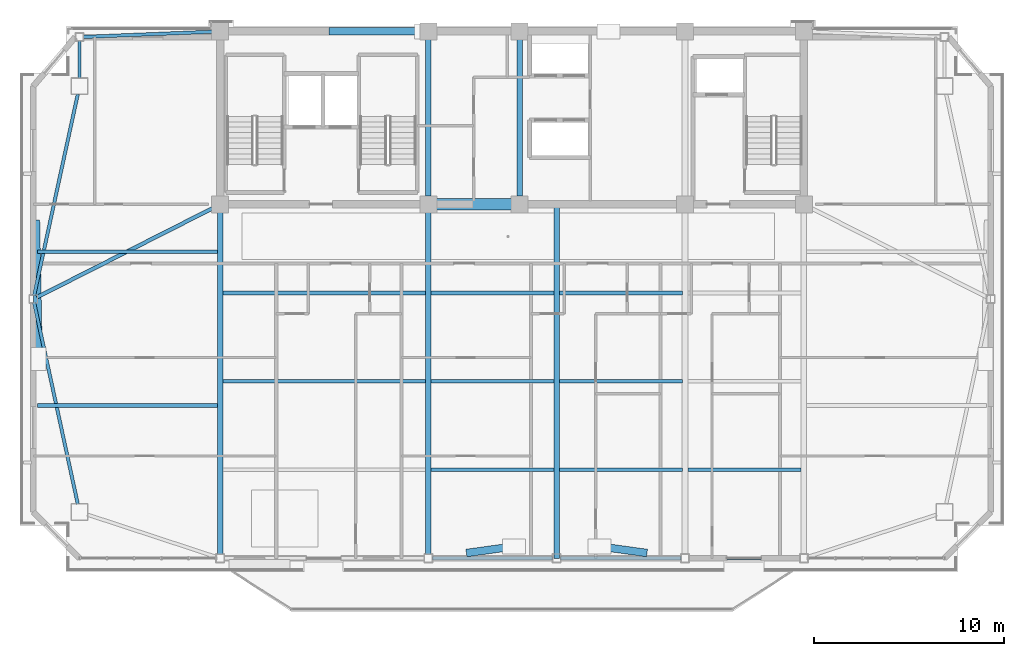
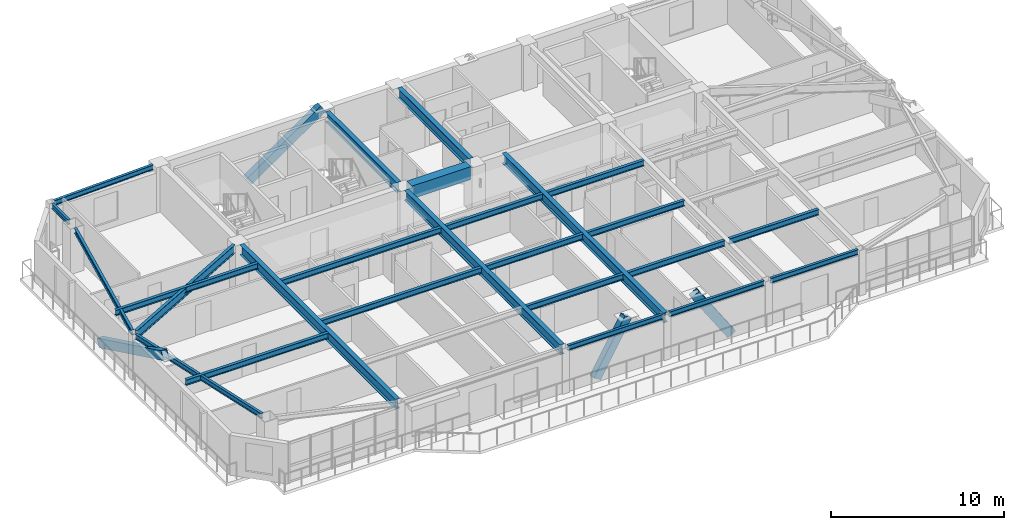
# One storey, part 3 of 15: 25 beams, 4 members.
"""IFC4 building model written with IfcOpenShell, lengths in metres."""

import ifcopenshell
import ifcopenshell.guid

model = None  # the IFC model being written
_history = None  # IfcOwnerHistory: only IFC2X3 demands one
_inside = {}  # id of a spatial element -> (the spatial element, [elements in it])
_under = {}  # id of a project, library or spatial element -> (it, [spatial elements below it])
_declared = {}  # id of a project -> (the project, [libraries it declares])
_typed = {}  # id of a type object -> (the type object, [elements of that type])
_made_of = {}  # id of a material, layer set ... -> (it, [elements and type objects made of it])


def new_model(schema):
    """Start an empty IFC model of exactly this schema.

    Asked for "IFC4X3", IfcOpenShell would pick the latest addendum, in which some entities
    have other attributes; the version numbers below select the first issue.
    IFC2X3 requires an IfcOwnerHistory on every rooted entity: one is made here for all.
    """
    global model, _history
    if schema == "IFC4X3":
        model = ifcopenshell.file(schema_version=(4, 3, 0, 0))
    else:
        model = ifcopenshell.file(schema=schema)
    _inside.clear()
    _under.clear()
    _declared.clear()
    _typed.clear()
    _made_of.clear()
    _history = None
    if model.schema == "IFC2X3":
        org = make("IfcOrganization", Name="unknown")
        user = make(
            "IfcPersonAndOrganization",
            ThePerson=make("IfcPerson", FamilyName="unknown"),
            TheOrganization=org,
        )
        app = make(
            "IfcApplication",
            ApplicationDeveloper=org,
            Version="unknown",
            ApplicationFullName="unknown",
            ApplicationIdentifier="unknown",
        )
        _history = make(
            "IfcOwnerHistory",
            OwningUser=user,
            OwningApplication=app,
            ChangeAction="ADDED",
            CreationDate=0,
        )
    return model


def make(cls, **values):
    """One entity of the class cls with the attributes given. An attribute that is None is left unset."""
    return model.create_entity(
        cls, **{name: value for name, value in values.items() if value is not None}
    )


def rooted(cls, **values):
    """An entity with a GlobalId (a new one), such as an element, a storey or a relation."""
    return make(cls, GlobalId=ifcopenshell.guid.new(), OwnerHistory=_history, **values)


def si_unit(unit_type, name, prefix=None):
    """IfcSIUnit, for example si_unit("LENGTHUNIT", "METRE", prefix="MILLI")."""
    return make("IfcSIUnit", UnitType=unit_type, Prefix=prefix, Name=name)


def assignment(units):
    """IfcUnitAssignment: the units of a project."""
    return None if units is None else make("IfcUnitAssignment", Units=units)


def point(xyz):
    """IfcCartesianPoint."""
    return None if xyz is None else make("IfcCartesianPoint", Coordinates=xyz)


def direction(xyz):
    """IfcDirection."""
    return None if xyz is None else make("IfcDirection", DirectionRatios=xyz)


def frame(location, z_axis=None, x_axis=None):
    """IfcAxis2Placement3D, a coordinate frame: its origin and axes. An axis left out is left unset."""
    return make(
        "IfcAxis2Placement3D",
        Location=point(location),
        Axis=direction(z_axis),
        RefDirection=direction(x_axis),
    )


def frame_2d(location, x_axis=None):
    """IfcAxis2Placement2D, a coordinate frame in the plane: its origin and x axis."""
    return make(
        "IfcAxis2Placement2D", Location=point(location), RefDirection=direction(x_axis)
    )


def origin():
    """The frame at (0, 0, 0) with its axes left unset."""
    return frame((0.0, 0.0, 0.0))


def origin_2d():
    """The frame at (0, 0) in the plane with its x axis left unset."""
    return frame_2d((0.0, 0.0))


def place(relative_to, where):
    """IfcLocalPlacement: puts the frame where relative to a parent placement (None: the world)."""
    return make(
        "IfcLocalPlacement", PlacementRelTo=relative_to, RelativePlacement=where
    )


def context(
    kind, dimensions, precision=None, world=None, true_north=None, identifier=None
):
    """IfcGeometricRepresentationContext, for example the 3D "Model" context."""
    return make(
        "IfcGeometricRepresentationContext",
        ContextIdentifier=identifier,
        ContextType=kind,
        CoordinateSpaceDimension=dimensions,
        Precision=precision,
        WorldCoordinateSystem=world,
        TrueNorth=true_north,
    )


def subcontext(parent, identifier, kind, view, scale=None):
    """IfcGeometricRepresentationSubContext, for example "Body" below "Model"."""
    return make(
        "IfcGeometricRepresentationSubContext",
        ContextIdentifier=identifier,
        ContextType=kind,
        ParentContext=parent,
        TargetScale=scale,
        TargetView=view,
    )


def project(units=None, contexts=None):
    """IfcProject with its units and contexts."""
    return rooted(
        "IfcProject",
        Name="project",
        RepresentationContexts=contexts,
        UnitsInContext=assignment(units),
    )


def spatial(cls, under=None, at=None, **own):
    """A site, building, storey or space (cls), placed at a placement, below another one or the project."""
    s = rooted(cls, ObjectPlacement=at, **own)
    if under is not None:
        _under.setdefault(under.id(), (under, []))[1].append(s)
    return s


def profile(cls, at=None, kind="AREA", **sizes):
    """A parametric profile (cls). Its sizes go by their IFC names, for example OverallWidth=200.0."""
    return make(cls, ProfileType=kind, Position=at, **sizes)


def rectangle(**sizes):
    """IfcRectangleProfileDef."""
    return profile("IfcRectangleProfileDef", **sizes)


def hollow_rectangle(**sizes):
    """IfcRectangleHollowProfileDef."""
    return profile("IfcRectangleHollowProfileDef", **sizes)


def i_section(**sizes):
    """IfcIShapeProfileDef."""
    return profile("IfcIShapeProfileDef", **sizes)


def extrude(swept, where, along, depth):
    """IfcExtrudedAreaSolid: the profile swept, set in the frame where, extruded along a direction by depth."""
    return make(
        "IfcExtrudedAreaSolid",
        SweptArea=swept,
        Position=where,
        ExtrudedDirection=direction(along),
        Depth=depth,
    )


def shape(context_of_items, identifier, shape_type, items):
    """IfcShapeRepresentation: the items that make up one representation, for example the "Body"."""
    return make(
        "IfcShapeRepresentation",
        ContextOfItems=context_of_items,
        RepresentationIdentifier=identifier,
        RepresentationType=shape_type,
        Items=items,
    )


def source(mapping_origin, context_of_items, identifier, shape_type, items):
    """IfcRepresentationMap: a shape defined once, which mapped items show again and again."""
    return make(
        "IfcRepresentationMap",
        MappingOrigin=mapping_origin,
        MappedRepresentation=shape(context_of_items, identifier, shape_type, items),
    )


def transform(
    local_origin,
    x_axis=None,
    y_axis=None,
    z_axis=None,
    scale=None,
    scale2=None,
    scale3=None,
    uniform=True,
):
    """IfcCartesianTransformationOperator3D, or its non-uniform kind. x_axis, y_axis, z_axis: its Axis1, 2, 3."""
    if uniform:
        return make(
            "IfcCartesianTransformationOperator3D",
            Axis1=direction(x_axis),
            Axis2=direction(y_axis),
            LocalOrigin=point(local_origin),
            Scale=scale,
            Axis3=direction(z_axis),
        )
    return make(
        "IfcCartesianTransformationOperator3DnonUniform",
        Axis1=direction(x_axis),
        Axis2=direction(y_axis),
        LocalOrigin=point(local_origin),
        Scale=scale,
        Axis3=direction(z_axis),
        Scale2=scale2,
        Scale3=scale3,
    )


def mapped(mapping_source, mapping_target):
    """IfcMappedItem: shows the shape of a source again, moved by a transform."""
    return make(
        "IfcMappedItem", MappingSource=mapping_source, MappingTarget=mapping_target
    )


def material(Name=None, Category=None):
    """IfcMaterial."""
    return make("IfcMaterial", Name=Name, Category=Category)


def material_profile(
    of_material, cross_section, Name=None, Category=None, Priority=None
):
    """IfcMaterialProfile: a cross section and its material."""
    return make(
        "IfcMaterialProfile",
        Name=Name,
        Material=of_material,
        Profile=cross_section,
        Priority=Priority,
        Category=Category,
    )


def profile_set(profiles, Name=None, composite=None):
    """IfcMaterialProfileSet."""
    return make(
        "IfcMaterialProfileSet",
        Name=Name,
        MaterialProfiles=profiles,
        CompositeProfile=composite,
    )


def made_of(thing, what):
    """Note that an element or type object is made of a material, layer set ...; save() writes the relation."""
    if what is not None:
        _made_of.setdefault(what.id(), (what, []))[1].append(thing)
    return thing


def type_object(cls, material=None, **own):
    """A type object (cls), such as IfcWallType, which elements share."""
    return made_of(rooted(cls, **own), material)


def element(
    cls,
    number,
    at=None,
    inside=None,
    cuts=None,
    type_object=None,
    material=None,
    context=None,
    identifier="Body",
    shape_type=None,
    held_by="IfcProductDefinitionShape",
    body=None,
    shapes=None,
    **own,
):
    """One element of the class cls, such as IfcWall. Its Tag is "e" and its number.

    at: its placement. inside: the storey or other place that contains it. cuts: it is an
    opening in that element (IfcRelVoidsElement). A single representation is given by context,
    identifier, shape_type and body (its items); several are given by shapes. held_by: the class
    of the entity that holds the representations. save() writes the other relations.
    """
    e = rooted(cls, Tag="e%d" % number, ObjectPlacement=at, **own)
    if body is not None:
        shapes = [shape(context, identifier, shape_type, body)]
    if shapes is not None:
        e.Representation = make(held_by, Representations=shapes)
    if inside is not None:
        _inside.setdefault(inside.id(), (inside, []))[1].append(e)
    if cuts is not None:
        rooted(
            "IfcRelVoidsElement", RelatingBuildingElement=cuts, RelatedOpeningElement=e
        )
    if type_object is not None:
        _typed.setdefault(type_object.id(), (type_object, []))[1].append(e)
    return made_of(e, material)


def aggregate(whole, parts):
    """IfcRelAggregates: a whole, such as a stair, and the parts it consists of."""
    return rooted("IfcRelAggregates", RelatingObject=whole, RelatedObjects=parts)


def save(model, path):
    """Write the relations noted so far, then the file.

    IfcRelAggregates (storeys below a building ...), IfcRelContainedInSpatialStructure (elements
    in a storey), IfcRelDefinesByType, IfcRelAssociatesMaterial and IfcRelDeclares: one each for
    every whole, place, type object, material and project.
    """
    for whole, parts in _under.values():
        aggregate(whole, parts)
    for where, things in _inside.values():
        rooted(
            "IfcRelContainedInSpatialStructure",
            RelatedElements=things,
            RelatingStructure=where,
        )
    for kind, things in _typed.values():
        rooted("IfcRelDefinesByType", RelatedObjects=things, RelatingType=kind)
    for what, things in _made_of.values():
        rooted("IfcRelAssociatesMaterial", RelatedObjects=things, RelatingMaterial=what)
    for by, libraries in _declared.values():
        rooted("IfcRelDeclares", RelatingContext=by, RelatedDefinitions=libraries)
    model.write(path)


model = new_model("IFC4")

# Units and contexts
model_context = context("Model", 3, precision=1e-05, world=origin(), true_north=direction((0.0, 1.0)))
body_context = subcontext(model_context, "Body", "Model", "MODEL_VIEW")
ifc_project = project(units=[si_unit("LENGTHUNIT", "METRE"), si_unit("AREAUNIT", "SQUARE_METRE"), si_unit("VOLUMEUNIT", "CUBIC_METRE"), si_unit("PLANEANGLEUNIT", "RADIAN"), si_unit("MASSUNIT", "GRAM", prefix="KILO")], contexts=[model_context])

# Site, building, storey
site_placement = place(None, origin())
site = spatial("IfcSite", under=ifc_project, at=site_placement, CompositionType="ELEMENT")
building_placement = place(site_placement, origin())
building = spatial("IfcBuilding", under=site, at=building_placement, Name="Giltprow Tower", CompositionType="ELEMENT")
storey_placement = place(building_placement, frame((0.0, 0.0, 297.199951171875)))
storey = spatial("IfcBuildingStorey", under=building, at=storey_placement, Name="L76", CompositionType="ELEMENT", Elevation=297.199951171875)

# Beams
ifc_material_1 = material(Name="Structural steel Q355B", Category="steel")
ifc_material_profile_1 = material_profile(ifc_material_1, i_section(OverallWidth=0.199951171875, OverallDepth=0.39990234375, WebThickness=0.008056640625, FlangeThickness=0.012939453125, at=origin_2d()), Name="HN 400x200x8x13")
ifc_profile_set_1 = profile_set([ifc_material_profile_1], Name="Structural steel Q355B")
beam_type_1 = type_object("IfcBeamType", Name="BM-JOIST-HN400", PredefinedType="JOIST", material=ifc_profile_set_1)
shared_shape_1 = source(origin(), body_context, "Body", "SweptSolid", [
    extrude(i_section(OverallWidth=0.199951171875, OverallDepth=0.39990234375, WebThickness=0.008056640625, FlangeThickness=0.012939453125, at=origin_2d()), origin(), (0.0, 0.0, 1.0), 10.659912109375),
])
for number, where, z_axis, x_axis, name in (
    (1, (19.9951171875, 28.14599609375, 2.985107421875), (1.0, 0.0, 0.0), (0.0, 1.0, 0.0), "L76 Composite Floor Joist 2-1"),
    (2, (19.9951171875, 32.798095703125, 2.985107421875), (1.0, 0.0, 0.0), (0.0, 1.0, 0.0), "L76 Composite Floor Joist 3-1"),
):
    element("IfcBeam", number, at=place(storey_placement, frame(where, z_axis=z_axis, x_axis=x_axis)), inside=storey, type_object=beam_type_1, Name=name, PredefinedType="JOIST", context=body_context, shape_type="MappedRepresentation", body=[
        mapped(shared_shape_1, transform((0.0, 0.0, 0.0), x_axis=(1.0, 0.0, 0.0), y_axis=(0.0, 1.0, 0.0), z_axis=(0.0, 0.0, 1.0), scale=1.0)),
    ])
shared_shape_2 = source(origin(), body_context, "Body", "SweptSolid", [
    extrude(i_section(OverallWidth=0.199951171875, OverallDepth=0.39990234375, WebThickness=0.008056640625, FlangeThickness=0.012939453125, at=origin_2d()), origin(), (0.0, 0.0, 1.0), 6.4599609375),
])
for number, where, z_axis, x_axis, name in (
    (3, (30.945068359375, 23.492919921875, 2.985107421875), (1.0, 0.0, 0.0), (0.0, 1.0, 0.0), "L76 Composite Floor Joist 1-2"),
    (4, (37.695068359375, 23.492919921875, 2.985107421875), (1.0, 0.0, 0.0), (0.0, 1.0, 0.0), "L76 Composite Floor Joist 1-3"),
    (5, (30.945068359375, 28.14599609375, 2.985107421875), (1.0, 0.0, 0.0), (0.0, 1.0, 0.0), "L76 Composite Floor Joist 2-2"),
    (6, (37.695068359375, 28.14599609375, 2.985107421875), (1.0, 0.0, 0.0), (0.0, 1.0, 0.0), "L76 Composite Floor Joist 2-3"),
    (7, (30.945068359375, 32.798095703125, 2.985107421875), (1.0, 0.0, 0.0), (0.0, 1.0, 0.0), "L76 Composite Floor Joist 3-2"),
    (8, (37.695068359375, 32.798095703125, 2.985107421875), (1.0, 0.0, 0.0), (0.0, 1.0, 0.0), "L76 Composite Floor Joist 3-3"),
):
    element("IfcBeam", number, at=place(storey_placement, frame(where, z_axis=z_axis, x_axis=x_axis)), inside=storey, type_object=beam_type_1, Name=name, PredefinedType="JOIST", context=body_context, shape_type="MappedRepresentation", body=[
        mapped(shared_shape_2, transform((0.0, 0.0, 0.0), x_axis=(1.0, 0.0, 0.0), y_axis=(0.0, 1.0, 0.0), z_axis=(0.0, 0.0, 1.0), scale=1.0)),
    ])
shared_shape_3 = source(origin(), body_context, "Body", "SweptSolid", [
    extrude(i_section(OverallWidth=0.199951171875, OverallDepth=0.39990234375, WebThickness=0.008056640625, FlangeThickness=0.012939453125, at=origin_2d()), origin(), (0.0, 0.0, 1.0), 5.9599609375),
])
beam_1_placement = place(storey_placement, frame((44.445068359375, 23.492919921875, 2.985107421875), z_axis=(1.0, 0.0, 0.0), x_axis=(0.0, 1.0, 0.0)))
element("IfcBeam", 9, at=beam_1_placement, inside=storey, type_object=beam_type_1, Name="L76 Composite Floor Joist 1-4", PredefinedType="JOIST", context=body_context, shape_type="MappedRepresentation", body=[
    mapped(shared_shape_3, transform((0.0, 0.0, 0.0), x_axis=(1.0, 0.0, 0.0), y_axis=(0.0, 1.0, 0.0), z_axis=(0.0, 0.0, 1.0), scale=1.0)),
])
ifc_material_2 = material(Name="Concrete C50", Category="concrete")
ifc_material_profile_2 = material_profile(ifc_material_2, rectangle(XDim=0.60009765625, YDim=0.89990234375, at=origin_2d()), Name="RC 900x600")
ifc_profile_set_2 = profile_set([ifc_material_profile_2], Name="Concrete C50")
beam_type_2 = type_object("IfcBeamType", Name="BM-CPL-RC900", PredefinedType="LINTEL", material=ifc_profile_set_2)
shared_shape_4 = source(origin(), body_context, "Body", "SweptSolid", [
    extrude(rectangle(XDim=0.60009765625, YDim=0.89990234375, at=origin_2d()), origin(), (0.0, 0.0, 1.0), 3.929931640625),
])
beam_2_placement = place(storey_placement, frame((31.235107421875, 37.449951171875, 2.735107421875), z_axis=(1.0, 0.0, 0.0), x_axis=(0.0, 1.0, 0.0)))
element("IfcBeam", 10, at=beam_2_placement, inside=storey, type_object=beam_type_2, Name="L76 Core Coupling Beam CB-1", PredefinedType="LINTEL", context=body_context, shape_type="MappedRepresentation", body=[
    mapped(shared_shape_4, transform((0.0, 0.0, 0.0), x_axis=(1.0, 0.0, 0.0), y_axis=(0.0, 1.0, 0.0), z_axis=(0.0, 0.0, 1.0), scale=1.0)),
])
ifc_material_profile_3 = material_profile(ifc_material_1, i_section(OverallWidth=0.300048828125, OverallDepth=0.699951171875, WebThickness=0.012939453125, FlangeThickness=0.02392578125, at=origin_2d()), Name="HN 700x300x13x24")
ifc_profile_set_3 = profile_set([ifc_material_profile_3], Name="Structural steel Q355B")
beam_type_3 = type_object("IfcBeamType", Name="BM-GIRD-HN700", PredefinedType="BEAM", material=ifc_profile_set_3)
shared_shape_5 = source(origin(), body_context, "Body", "SweptSolid", [
    extrude(i_section(OverallWidth=0.300048828125, OverallDepth=0.699951171875, WebThickness=0.012939453125, FlangeThickness=0.02392578125, at=origin_2d()), origin(), (0.0, 0.0, 1.0), 8.22998046875),
])
for number, where, z_axis, x_axis, name in (
    (11, (30.800048828125, 37.885009765625, 2.8349609375), (0.0, 1.0, 0.0), (-1.0, 0.0, 0.0), "L76 Core Tie Girder M1"),
    (12, (35.60009765625, 37.885009765625, 2.8349609375), (0.0, 1.0, 0.0), (-1.0, 0.0, 0.0), "L76 Core Tie Girder M2"),
):
    element("IfcBeam", number, at=place(storey_placement, frame(where, z_axis=z_axis, x_axis=x_axis)), inside=storey, type_object=beam_type_3, Name=name, PredefinedType="BEAM", context=body_context, shape_type="MappedRepresentation", body=[
        mapped(shared_shape_5, transform((0.0, 0.0, 0.0), x_axis=(1.0, 0.0, 0.0), y_axis=(0.0, 1.0, 0.0), z_axis=(0.0, 0.0, 1.0), scale=1.0)),
    ])
ifc_material_profile_4 = material_profile(ifc_material_1, i_section(OverallWidth=0.175048828125, OverallDepth=0.35009765625, WebThickness=0.007080078125, FlangeThickness=0.010986328125, at=origin_2d()), Name="HN 350x175x7x11")
ifc_profile_set_4 = profile_set([ifc_material_profile_4], Name="Structural steel Q355B")
beam_type_4 = type_object("IfcBeamType", Name="BM-SPAN-HN350", PredefinedType="SPANDREL", material=ifc_profile_set_4)
shared_shape_6 = source(origin(), body_context, "Body", "SweptSolid", [
    extrude(i_section(OverallWidth=0.175048828125, OverallDepth=0.35009765625, WebThickness=0.007080078125, FlangeThickness=0.010986328125, at=origin_2d()), origin(), (0.0, 0.0, 1.0), 6.330078125),
])
for number, where, z_axis, x_axis, name in (
    (13, (31.010009765625, 18.841064453125, 3.010009765625), (1.0, 0.0, 0.0), (0.0, 1.0, 0.0), "L76 Perimeter Spandrel Beam S2-S_MID"),
    (14, (37.760009765625, 18.841064453125, 3.010009765625), (1.0, 0.0, 0.0), (0.0, 1.0, 0.0), "L76 Perimeter Spandrel Beam S_MID-S3"),
):
    element("IfcBeam", number, at=place(storey_placement, frame(where, z_axis=z_axis, x_axis=x_axis)), inside=storey, type_object=beam_type_4, Name=name, PredefinedType="SPANDREL", context=body_context, shape_type="MappedRepresentation", body=[
        mapped(shared_shape_6, transform((0.0, 0.0, 0.0), x_axis=(1.0, 0.0, 0.0), y_axis=(0.0, 1.0, 0.0), z_axis=(0.0, 0.0, 1.0), scale=1.0)),
    ])
shared_shape_7 = source(origin(), body_context, "Body", "SweptSolid", [
    extrude(i_section(OverallWidth=0.175048828125, OverallDepth=0.35009765625, WebThickness=0.007080078125, FlangeThickness=0.010986328125, at=origin_2d()), origin(), (0.0, 0.0, 1.0), 5.830078125),
])
beam_3_placement = place(storey_placement, frame((44.510009765625, 18.841064453125, 3.010009765625), z_axis=(1.0, 0.0, 0.0), x_axis=(0.0, 1.0, 0.0)))
element("IfcBeam", 15, at=beam_3_placement, inside=storey, type_object=beam_type_4, Name="L76 Perimeter Spandrel Beam S3-S4", PredefinedType="SPANDREL", context=body_context, shape_type="MappedRepresentation", body=[
    mapped(shared_shape_7, transform((0.0, 0.0, 0.0), x_axis=(1.0, 0.0, 0.0), y_axis=(0.0, 1.0, 0.0), z_axis=(0.0, 0.0, 1.0), scale=1.0)),
])
shared_shape_8 = source(origin(), body_context, "Body", "SweptSolid", [
    extrude(i_section(OverallWidth=0.175048828125, OverallDepth=0.35009765625, WebThickness=0.007080078125, FlangeThickness=0.010986328125, at=origin_2d()), origin(), (0.0, 0.0, 1.0), 10.815185546875),
])
beam_4_placement = place(storey_placement, frame((10.069091796875, 32.26611328125, 3.010009765625), z_axis=(0.212104429767, -0.97724700607, 0.0), x_axis=(0.97724700607, 0.212104429767, 0.0)))
element("IfcBeam", 16, at=beam_4_placement, inside=storey, type_object=beam_type_4, Name="L76 Perimeter Spandrel Beam W_MID-MC_SW", PredefinedType="SPANDREL", context=body_context, shape_type="MappedRepresentation", body=[
    mapped(shared_shape_8, transform((0.0, 0.0, 0.0), x_axis=(1.0, 0.0, 0.0), y_axis=(0.0, 1.0, 0.0), z_axis=(0.0, 0.0, 1.0), scale=1.0)),
])
shared_shape_9 = source(origin(), body_context, "Body", "SweptSolid", [
    extrude(i_section(OverallWidth=0.175048828125, OverallDepth=0.35009765625, WebThickness=0.007080078125, FlangeThickness=0.010986328125, at=origin_2d()), origin(), (0.0, 0.0, 1.0), 10.81396484375),
])
beam_5_placement = place(storey_placement, frame((12.363037109375, 43.243896484375, 3.010009765625), z_axis=(-0.212127827706, -0.977241927423, 0.0), x_axis=(0.977241927423, -0.212127827706, 0.0)))
element("IfcBeam", 17, at=beam_5_placement, inside=storey, type_object=beam_type_4, Name="L76 Perimeter Spandrel Beam MC_NW-W_MID", PredefinedType="SPANDREL", context=body_context, shape_type="MappedRepresentation", body=[
    mapped(shared_shape_9, transform((0.0, 0.0, 0.0), x_axis=(1.0, 0.0, 0.0), y_axis=(0.0, 1.0, 0.0), z_axis=(0.0, 0.0, 1.0), scale=1.0)),
])
shared_shape_10 = source(origin(), body_context, "Body", "SweptSolid", [
    extrude(i_section(OverallWidth=0.175048828125, OverallDepth=0.35009765625, WebThickness=0.007080078125, FlangeThickness=0.010986328125, at=origin_2d()), origin(), (0.0, 0.0, 1.0), 1.93603515625),
])
beam_6_placement = place(storey_placement, frame((12.455078125, 46.0400390625, 3.010009765625), z_axis=(0.0, -1.0, 0.0), x_axis=(1.0, 0.0, 0.0)))
element("IfcBeam", 18, at=beam_6_placement, inside=storey, type_object=beam_type_4, Name="L76 Perimeter Spandrel Beam N_W-MC_NW", PredefinedType="SPANDREL", context=body_context, shape_type="MappedRepresentation", body=[
    mapped(shared_shape_10, transform((0.0, 0.0, 0.0), x_axis=(1.0, 0.0, 0.0), y_axis=(0.0, 1.0, 0.0), z_axis=(0.0, 0.0, 1.0), scale=1.0)),
])
shared_shape_11 = source(origin(), body_context, "Body", "SweptSolid", [
    extrude(i_section(OverallWidth=0.175048828125, OverallDepth=0.35009765625, WebThickness=0.007080078125, FlangeThickness=0.010986328125, at=origin_2d()), origin(), (0.0, 0.0, 1.0), 6.755615234375),
])
beam_7_placement = place(storey_placement, frame((12.6650390625, 46.259033203125, 3.010009765625), z_axis=(0.99918342897, 0.040403901678, 0.0), x_axis=(-0.040403901678, 0.99918342897, 0.0)))
element("IfcBeam", 19, at=beam_7_placement, inside=storey, type_object=beam_type_4, Name="L76 North Wing Spandrel W", PredefinedType="SPANDREL", context=body_context, shape_type="MappedRepresentation", body=[
    mapped(shared_shape_11, transform((0.0, 0.0, 0.0), x_axis=(1.0, 0.0, 0.0), y_axis=(0.0, 1.0, 0.0), z_axis=(0.0, 0.0, 1.0), scale=1.0)),
])
shared_shape_12 = source(origin(), body_context, "Body", "SweptSolid", [
    extrude(i_section(OverallWidth=0.300048828125, OverallDepth=0.699951171875, WebThickness=0.012939453125, FlangeThickness=0.02392578125, at=origin_2d()), origin(), (0.0, 0.0, 1.0), 17.9638671875),
])
for number, where, z_axis, x_axis, name in (
    (20, (19.85009765625, 19.051025390625, 2.8349609375), (0.0, 1.0, 0.0), (-1.0, 0.0, 0.0), "L76 Primary Lease Girder S1"),
    (21, (30.800048828125, 19.051025390625, 2.8349609375), (0.0, 1.0, 0.0), (-1.0, 0.0, 0.0), "L76 Primary Lease Girder S2"),
):
    element("IfcBeam", number, at=place(storey_placement, frame(where, z_axis=z_axis, x_axis=x_axis)), inside=storey, type_object=beam_type_3, Name=name, PredefinedType="BEAM", context=body_context, shape_type="MappedRepresentation", body=[
        mapped(shared_shape_12, transform((0.0, 0.0, 0.0), x_axis=(1.0, 0.0, 0.0), y_axis=(0.0, 1.0, 0.0), z_axis=(0.0, 0.0, 1.0), scale=1.0)),
    ])
shared_shape_13 = source(origin(), body_context, "Body", "SweptSolid", [
    extrude(i_section(OverallWidth=0.300048828125, OverallDepth=0.699951171875, WebThickness=0.012939453125, FlangeThickness=0.02392578125, at=origin_2d()), origin(), (0.0, 0.0, 1.0), 18.60888671875),
])
beam_8_placement = place(storey_placement, frame((37.550048828125, 18.841064453125, 2.8349609375), z_axis=(0.0, 1.0, 0.0), x_axis=(-1.0, 0.0, 0.0)))
element("IfcBeam", 22, at=beam_8_placement, inside=storey, type_object=beam_type_3, Name="L76 Central Lease Girder SMID", PredefinedType="BEAM", context=body_context, shape_type="MappedRepresentation", body=[
    mapped(shared_shape_13, transform((0.0, 0.0, 0.0), x_axis=(1.0, 0.0, 0.0), y_axis=(0.0, 1.0, 0.0), z_axis=(0.0, 0.0, 1.0), scale=1.0)),
])
ifc_material_profile_5 = material_profile(ifc_material_1, i_section(OverallWidth=0.199951171875, OverallDepth=0.60009765625, WebThickness=0.010986328125, FlangeThickness=0.01708984375, at=origin_2d()), Name="HN 600x200x11x17")
ifc_profile_set_5 = profile_set([ifc_material_profile_5], Name="Structural steel Q355B")
beam_type_5 = type_object("IfcBeamType", Name="BM-GIRD-HN600", PredefinedType="BEAM", material=ifc_profile_set_5)
shared_shape_14 = source(origin(), body_context, "Body", "SweptSolid", [
    extrude(i_section(OverallWidth=0.199951171875, OverallDepth=0.60009765625, WebThickness=0.010986328125, FlangeThickness=0.01708984375, at=origin_2d()), origin(), (0.0, 0.0, 1.0), 10.37060546875),
])
beam_9_placement = place(storey_placement, frame((10.2109375, 32.56591796875, 2.885009765625), z_axis=(0.89204159727, 0.451953303716, 0.0), x_axis=(-0.451953303716, 0.89204159727, 0.0)))
element("IfcBeam", 23, at=beam_9_placement, inside=storey, type_object=beam_type_5, Name="L76 West Wing Primary Girder", PredefinedType="BEAM", context=body_context, shape_type="MappedRepresentation", body=[
    mapped(shared_shape_14, transform((0.0, 0.0, 0.0), x_axis=(1.0, 0.0, 0.0), y_axis=(0.0, 1.0, 0.0), z_axis=(0.0, 0.0, 1.0), scale=1.0)),
])
shared_shape_15 = source(origin(), body_context, "Body", "SweptSolid", [
    extrude(i_section(OverallWidth=0.199951171875, OverallDepth=0.39990234375, WebThickness=0.008056640625, FlangeThickness=0.012939453125, at=origin_2d()), origin(), (0.0, 0.0, 1.0), 9.461181640625),
])
for number, where, z_axis, x_axis, name in (
    (24, (10.243896484375, 26.87109375, 2.985107421875), (1.0, 0.0, 0.0), (0.0, 1.0, 0.0), "L76 West Wing Floor Joist 1"),
    (25, (10.243896484375, 34.9599609375, 2.985107421875), (1.0, 0.0, 0.0), (0.0, 1.0, 0.0), "L76 West Wing Floor Joist 2"),
):
    element("IfcBeam", number, at=place(storey_placement, frame(where, z_axis=z_axis, x_axis=x_axis)), inside=storey, type_object=beam_type_1, Name=name, PredefinedType="JOIST", context=body_context, shape_type="MappedRepresentation", body=[
        mapped(shared_shape_15, transform((0.0, 0.0, 0.0), x_axis=(1.0, 0.0, 0.0), y_axis=(0.0, 1.0, 0.0), z_axis=(0.0, 0.0, 1.0), scale=1.0)),
    ])

# Members
ifc_material_3 = material(Name="Structural steel Q420GJC", Category="steel")
ifc_material_profile_6 = material_profile(ifc_material_3, hollow_rectangle(XDim=0.39990234375, YDim=0.60009765625, WallThickness=0.028076171875, at=origin_2d()), Name="RHS 600x400x28")
ifc_profile_set_6 = profile_set([ifc_material_profile_6], Name="Structural steel Q420GJC")
member_type = type_object("IfcMemberType", Name="MBR-MEGA-RHS600", PredefinedType="BRACE", material=ifc_profile_set_6)
shared_shape_16 = source(origin(), body_context, "Body", "SweptSolid", [
    extrude(hollow_rectangle(XDim=0.39990234375, YDim=0.60009765625, WallThickness=0.028076171875, at=origin_2d()), origin(), (0.0, 0.0, 1.0), 5.991943359375),
])
member_1_placement = place(storey_placement, frame((25.73291015625, 46.550048828125, -0.139892578125), z_axis=(0.823439915598, 0.0, 0.567403476725), x_axis=(0.0, 1.0, 0.0)))
element("IfcMember", 26, at=member_1_placement, inside=storey, type_object=member_type, Name="L76 Chevron Mega-Brace N-L", PredefinedType="BRACE", context=body_context, shape_type="MappedRepresentation", body=[
    mapped(shared_shape_16, transform((0.0, 0.0, 0.0), x_axis=(1.0, 0.0, 0.0), y_axis=(0.0, 1.0, 0.0), z_axis=(0.0, 0.0, 1.0), scale=1.0)),
])
shared_shape_17 = source(origin(), body_context, "Body", "SweptSolid", [
    extrude(hollow_rectangle(XDim=0.39990234375, YDim=0.60009765625, WallThickness=0.028076171875, at=origin_2d()), origin(), (0.0, 0.0, 1.0), 4.089111328125),
])
for number, where, z_axis, x_axis, name in (
    (27, (33.050048828125, 19.15087890625, 0.0), (0.550251554115, 0.076065590271, 0.831527060998), (-0.136935639325, 0.990579946639, 0.0), "L76 Chevron Mega-Brace S-L"),
    (28, (42.050048828125, 19.15087890625, 0.0), (-0.550251554115, 0.076065590271, 0.831527060998), (-0.136935639325, -0.990579946639, 0.0), "L76 Chevron Mega-Brace S-R"),
):
    element("IfcMember", number, at=place(storey_placement, frame(where, z_axis=z_axis, x_axis=x_axis)), inside=storey, type_object=member_type, Name=name, PredefinedType="BRACE", context=body_context, shape_type="MappedRepresentation", body=[
        mapped(shared_shape_17, transform((0.0, 0.0, 0.0), x_axis=(1.0, 0.0, 0.0), y_axis=(0.0, 1.0, 0.0), z_axis=(0.0, 0.0, 1.0), scale=1.0)),
    ])
shared_shape_18 = source(origin(), body_context, "Body", "SweptSolid", [
    extrude(hollow_rectangle(XDim=0.39990234375, YDim=0.60009765625, WallThickness=0.028076171875, at=origin_2d()), origin(), (0.0, 0.0, 1.0), 7.936767578125),
])
member_2_placement = place(storey_placement, frame((10.1630859375, 36.498046875, 0.0), z_axis=(0.017379937088, -0.903418358139, 0.428407758991), x_axis=(0.999815001566, 0.019234413017, 0.0)))
element("IfcMember", 29, at=member_2_placement, inside=storey, type_object=member_type, Name="L76 Chevron Mega-Brace W-D", PredefinedType="BRACE", context=body_context, shape_type="MappedRepresentation", body=[
    mapped(shared_shape_18, transform((0.0, 0.0, 0.0), x_axis=(1.0, 0.0, 0.0), y_axis=(0.0, 1.0, 0.0), z_axis=(0.0, 0.0, 1.0), scale=1.0)),
])

save(model, "model.ifc")
